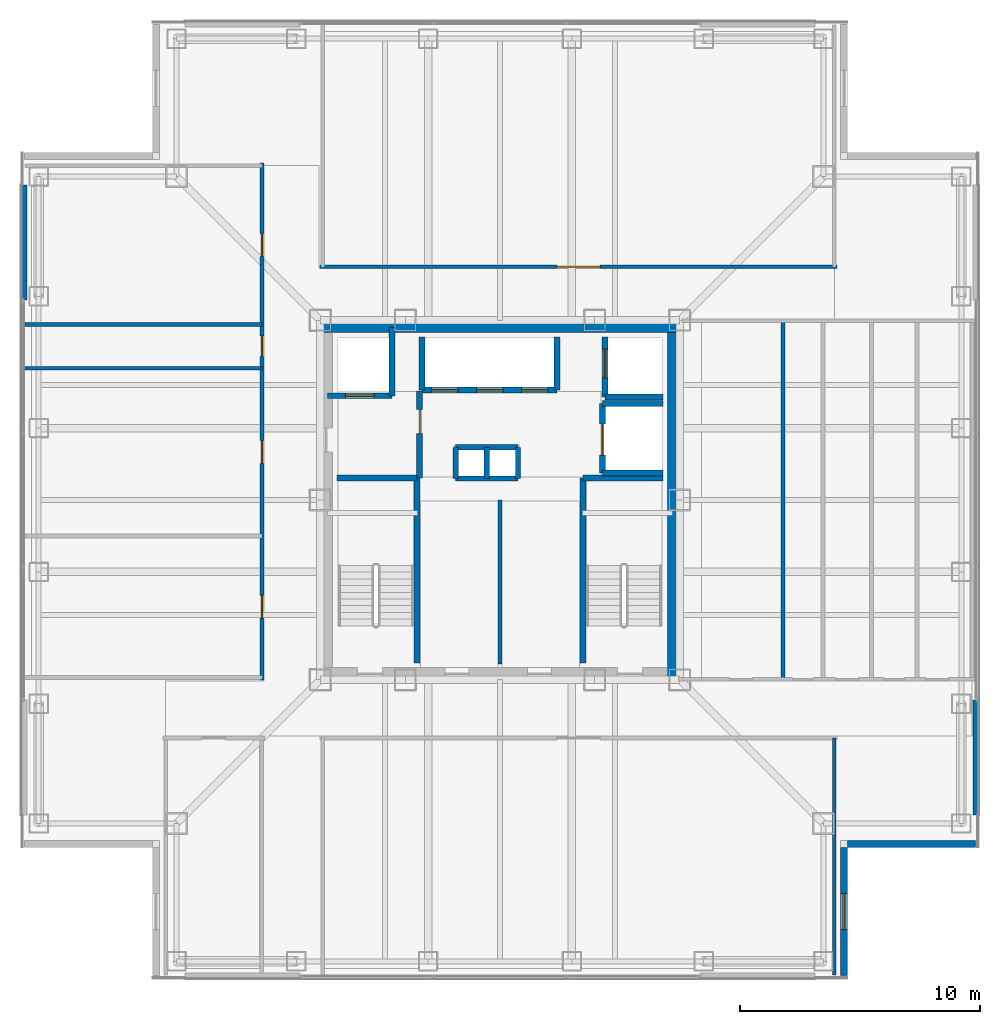
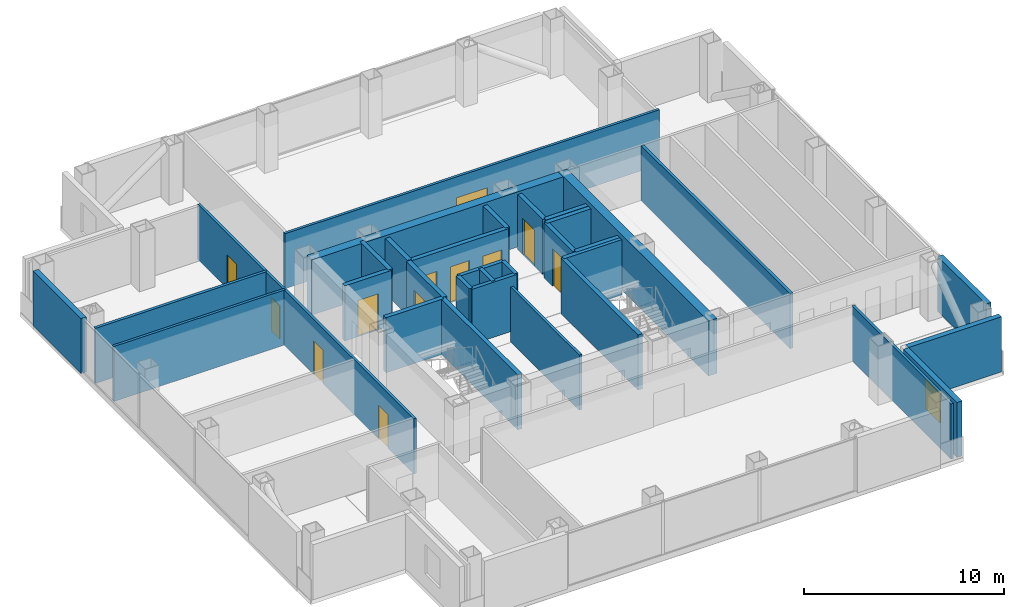
# One storey, part 9 of 16: 33 walls, 12 doors, 1 window, 13 openings.
"""IFC4 building model written with IfcOpenShell, lengths in metres."""

from ifc_helpers import new_model, si_unit, direction, frame, frame_2d, origin, place, context, subcontext, project, spatial, rectangle, extrude, material, layer, layer_set, type_object, element, fill, save


model = new_model("IFC4")

# Units and contexts
model_context = context("Model", 3, precision=1e-05, world=origin(), true_north=direction((0.0, 1.0)))
body_context = subcontext(model_context, "Body", "Model", "MODEL_VIEW")
ifc_project = project(units=[si_unit("LENGTHUNIT", "METRE"), si_unit("AREAUNIT", "SQUARE_METRE"), si_unit("VOLUMEUNIT", "CUBIC_METRE"), si_unit("PLANEANGLEUNIT", "RADIAN"), si_unit("MASSUNIT", "GRAM", prefix="KILO")], contexts=[model_context])

# Site, building, storey
site_placement = place(None, origin())
site = spatial("IfcSite", under=ifc_project, at=site_placement, CompositionType="ELEMENT")
building_placement = place(site_placement, origin())
building = spatial("IfcBuilding", under=site, at=building_placement, Name="Trevonay Congress Spire", CompositionType="ELEMENT")
storey_placement = place(building_placement, frame((0.0, 0.0, 202.199951171875)))
storey = spatial("IfcBuildingStorey", under=building, at=storey_placement, Name="L52", CompositionType="ELEMENT", Elevation=202.199951171875)

# Walls
ifc_material_1 = material(Name="Concrete C50/60", Category="concrete")
ifc_layer_1 = layer(ifc_material_1, 0.5, Name="Concrete C50/60")
ifc_layer_set_1 = layer_set([ifc_layer_1], Name="Concrete C50/60")
wall_type_1 = type_object("IfcWallType", Name="WAL-CORE-500", PredefinedType="SHEAR", material=ifc_layer_set_1)
for number, where, z_axis, x_axis, name in (
    (1, (-7.5, 7.25, 0.0), (0.0, 0.0, 1.0), (1.0, 0.0, 0.0), "L52 North structural core shear wall"),
    (2, (7.25, -7.5, 0.0), (0.0, 0.0, 1.0), (0.0, 1.0, 0.0), "L52 East structural core shear wall"),
):
    element("IfcWall", number, at=place(storey_placement, frame(where, z_axis=z_axis, x_axis=x_axis)), inside=storey, type_object=wall_type_1, Name=name, PredefinedType="SHEAR", context=body_context, shape_type="SweptSolid", body=[
        extrude(rectangle(XDim=15.0, YDim=0.5, at=frame_2d((7.5, 0.0))), origin(), (0.0, 0.0, 1.0), 3.360107421875),
    ])

# Wall, openings, doors
ifc_material_2 = material(Name="Concrete C40/50", Category="concrete")
ifc_layer_2 = layer(ifc_material_2, 0.14990234375, Name="Concrete C40/50")
ifc_layer_set_2 = layer_set([ifc_layer_2], Name="Concrete C40/50")
wall_type_2 = type_object("IfcWallType", Name="WAL-CORR-150", PredefinedType="PARTITIONING", material=ifc_layer_set_2)
wall_1_placement = place(storey_placement, frame((-9.929931640625, -7.52001953125, 0.0), z_axis=(0.0, 0.0, 1.0), x_axis=(0.0, 1.0, 0.0)))
wall_1 = element("IfcWall", 3, at=wall_1_placement, inside=storey, type_object=wall_type_2, Name="L52 interior wall WP-L52NW-COR", PredefinedType="PARTITIONING", context=body_context, shape_type="SweptSolid", body=[
    extrude(rectangle(XDim=21.590087890625, YDim=0.14990234375, at=frame_2d((10.794921875, 0.0))), origin(), (0.0, 0.0, 1.0), 3.360107421875),
])
opening_1_placement = place(wall_1_placement, frame((2.594970703125, 0.0, 0.0)))
opening_1 = element("IfcOpeningElement", 4, at=opening_1_placement, cuts=wall_1, Name="Opening D07", PredefinedType="OPENING", context=body_context, shape_type="SweptSolid", body=[
    extrude(rectangle(XDim=0.949951171875, YDim=2.06005859375, at=frame_2d((0.47509765625, 1.030029296875))), frame((0.0, 0.0849609375, 0.0), z_axis=(0.0, -1.0, 0.0), x_axis=(1.0, 0.0, 0.0)), (0.0, 0.0, 1.0), 0.169921875),
])
opening_2_placement = place(wall_1_placement, frame((9.044921875, 0.0, 0.0)))
opening_2 = element("IfcOpeningElement", 5, at=opening_2_placement, cuts=wall_1, Name="Opening D07", PredefinedType="OPENING", context=body_context, shape_type="SweptSolid", body=[
    extrude(rectangle(XDim=0.949951171875, YDim=2.06005859375, at=frame_2d((0.47509765625, 1.030029296875))), frame((0.0, 0.0849609375, 0.0), z_axis=(0.0, -1.0, 0.0), x_axis=(1.0, 0.0, 0.0)), (0.0, 0.0, 1.0), 0.169921875),
])
opening_3_placement = place(wall_1_placement, frame((13.510009765625, 0.0, 0.0)))
opening_3 = element("IfcOpeningElement", 6, at=opening_3_placement, cuts=wall_1, Name="Opening D10", PredefinedType="OPENING", context=body_context, shape_type="SweptSolid", body=[
    extrude(rectangle(XDim=0.85009765625, YDim=2.050048828125, at=frame_2d((0.425048828125, 1.02490234375))), frame((0.0, 0.0849609375, 0.0), z_axis=(0.0, -1.0, 0.0), x_axis=(1.0, 0.0, 0.0)), (0.0, 0.0, 1.0), 0.169921875),
])
opening_4_placement = place(wall_1_placement, frame((17.68505859375, 0.0, 0.0)))
opening_4 = element("IfcOpeningElement", 7, at=opening_4_placement, cuts=wall_1, Name="Opening D07", PredefinedType="OPENING", context=body_context, shape_type="SweptSolid", body=[
    extrude(rectangle(XDim=0.949951171875, YDim=2.06005859375, at=frame_2d((0.47509765625, 1.030029296875))), frame((0.0, 0.0849609375, 0.0), z_axis=(0.0, -1.0, 0.0), x_axis=(1.0, 0.0, 0.0)), (0.0, 0.0, 1.0), 0.169921875),
])
ifc_material_3 = material(Name="Pale Anodised Aluminium EN AW-6063-T6", Category="aluminium")
door_type_1 = type_object("IfcDoorType", Name="DOR-OFFICE-95", OperationType="NOTDEFINED", PredefinedType="DOOR", material=ifc_material_3)
door_1_placement = place(opening_1_placement, origin())
door_1 = element("IfcDoor", 8, at=door_1_placement, inside=storey, type_object=door_type_1, Name="L52 Hydrotherapy Lounge Door", OperationType="SINGLE_SWING_RIGHT", OverallHeight=2.06005859375, OverallWidth=0.949951171875, PredefinedType="DOOR", context=body_context, shape_type="SweptSolid", body=[
    extrude(rectangle(XDim=0.949951171875, YDim=2.06005859375, at=frame_2d((0.47509765625, 1.030029296875))), frame((0.0, 0.02490234375, 0.0), z_axis=(0.0, -1.0, 0.0), x_axis=(1.0, 0.0, 0.0)), (0.0, 0.0, 1.0), 0.050048828125),
])
fill(opening_1, door_1)
door_2_placement = place(opening_2_placement, origin())
door_2 = element("IfcDoor", 9, at=door_2_placement, inside=storey, type_object=door_type_1, Name="L52 Spa Treatment Lounge Door", OperationType="SINGLE_SWING_LEFT", OverallHeight=2.06005859375, OverallWidth=0.949951171875, PredefinedType="DOOR", context=body_context, shape_type="SweptSolid", body=[
    extrude(rectangle(XDim=0.949951171875, YDim=2.06005859375, at=frame_2d((0.47509765625, 1.030029296875))), frame((0.0, 0.02490234375, 0.0), z_axis=(0.0, -1.0, 0.0), x_axis=(1.0, 0.0, 0.0)), (0.0, 0.0, 1.0), 0.050048828125),
])
fill(opening_2, door_2)
door_3_placement = place(opening_4_placement, origin())
door_3 = element("IfcDoor", 10, at=door_3_placement, inside=storey, type_object=door_type_1, Name="L52 Floor Supplies and Copy Room Door", OperationType="SINGLE_SWING_LEFT", OverallHeight=2.06005859375, OverallWidth=0.949951171875, PredefinedType="DOOR", context=body_context, shape_type="SweptSolid", body=[
    extrude(rectangle(XDim=0.949951171875, YDim=2.06005859375, at=frame_2d((0.47509765625, 1.030029296875))), frame((0.0, 0.02490234375, 0.0), z_axis=(0.0, -1.0, 0.0), x_axis=(1.0, 0.0, 0.0)), (0.0, 0.0, 1.0), 0.050048828125),
])
fill(opening_4, door_3)
door_type_2 = type_object("IfcDoorType", Name="DOR-WC-85", OperationType="NOTDEFINED", PredefinedType="DOOR", material=ifc_material_3)
door_4_placement = place(opening_3_placement, origin())
door_4 = element("IfcDoor", 11, at=door_4_placement, inside=storey, type_object=door_type_2, Name="L52 Accessible WC Door", OperationType="SINGLE_SWING_RIGHT", OverallHeight=2.050048828125, OverallWidth=0.85009765625, PredefinedType="DOOR", context=body_context, shape_type="SweptSolid", body=[
    extrude(rectangle(XDim=0.85009765625, YDim=2.050048828125, at=frame_2d((0.425048828125, 1.02490234375))), frame((0.0, 0.02490234375, 0.0), z_axis=(0.0, -1.0, 0.0), x_axis=(1.0, 0.0, 0.0)), (0.0, 0.0, 1.0), 0.050048828125),
])
fill(opening_3, door_4)

# Wall, opening, door
wall_2_placement = place(storey_placement, frame((-7.52001953125, 9.72998046875, 0.0), z_axis=(0.0, 0.0, 1.0), x_axis=(1.0, 0.0, 0.0)))
wall_2 = element("IfcWall", 12, at=wall_2_placement, inside=storey, type_object=wall_type_2, Name="L52 interior wall WP-L52N-COR", PredefinedType="PARTITIONING", context=body_context, shape_type="SweptSolid", body=[
    extrude(rectangle(XDim=21.590087890625, YDim=0.14990234375, at=frame_2d((10.794921875, 0.0))), origin(), (0.0, 0.0, 1.0), 3.360107421875),
])
opening_5_placement = place(wall_2_placement, frame((9.89501953125, 0.0, 0.0)))
opening_5 = element("IfcOpeningElement", 13, at=opening_5_placement, cuts=wall_2, Name="Opening D09", PredefinedType="OPENING", context=body_context, shape_type="SweptSolid", body=[
    extrude(rectangle(XDim=1.800048828125, YDim=2.080078125, at=frame_2d((0.89990234375, 1.0400390625))), frame((0.0, 0.0849609375, 0.0), z_axis=(0.0, -1.0, 0.0), x_axis=(1.0, 0.0, 0.0)), (0.0, 0.0, 1.0), 0.169921875),
])
door_type_3 = type_object("IfcDoorType", Name="DOR-CONF-DBL", OperationType="DOUBLE_DOOR_SINGLE_SWING", PredefinedType="DOOR", material=ifc_material_3)
door_5_placement = place(opening_5_placement, origin())
door_5 = element("IfcDoor", 14, at=door_5_placement, inside=storey, type_object=door_type_3, Name="L52 Sky Pilates and Fitness Studio Lounge Door", OperationType="DOUBLE_DOOR_SINGLE_SWING", OverallHeight=2.080078125, OverallWidth=1.800048828125, PredefinedType="DOOR", context=body_context, shape_type="SweptSolid", body=[
    extrude(rectangle(XDim=1.800048828125, YDim=2.080078125, at=frame_2d((0.89990234375, 1.0400390625))), frame((0.0, 0.02490234375, 0.0), z_axis=(0.0, -1.0, 0.0), x_axis=(1.0, 0.0, 0.0)), (0.0, 0.0, 1.0), 0.050048828125),
])
fill(opening_5, door_5)

# Walls
ifc_material_4 = material(Name="Precast concrete C40/50", Category="concrete")
ifc_layer_3 = layer(ifc_material_4, 0.300048828125, Name="Precast concrete C40/50")
ifc_layer_set_3 = layer_set([ifc_layer_3], Name="Precast concrete C40/50")
wall_type_3 = type_object("IfcWallType", Name="WAL-EXT-PRECAST-300", PredefinedType="SOLIDWALL", material=ifc_layer_set_3)
for number, where, z_axis, x_axis, name in (
    (15, (-19.8798828125, 8.35009765625, 0.0), (0.0, 0.0, 1.0), (0.0, 1.0, 0.0), "L52 WR braced-bay exterior pier wall"),
    (16, (19.8798828125, -13.14990234375, 0.0), (0.0, 0.0, 1.0), (0.0, 1.0, 0.0), "L52 EL braced-bay exterior pier wall"),
):
    element("IfcWall", number, at=place(storey_placement, frame(where, z_axis=z_axis, x_axis=x_axis)), inside=storey, type_object=wall_type_3, Name=name, PredefinedType="SOLIDWALL", context=body_context, shape_type="SweptSolid", body=[
        extrude(rectangle(XDim=4.7998046875, YDim=0.300048828125, at=frame_2d((2.39990234375, 0.0))), origin(), (0.0, 0.0, 1.0), 3.360107421875),
    ])

# Wall, opening, window
wall_3_placement = place(storey_placement, frame((14.35009765625, -19.85009765625, 0.0), z_axis=(0.0, 0.0, 1.0), x_axis=(0.0, 1.0, 0.0)))
wall_3 = element("IfcWall", 17, at=wall_3_placement, inside=storey, type_object=wall_type_3, Name="L52 SE re-entrant notch exterior wall 1", PredefinedType="SOLIDWALL", context=body_context, shape_type="SweptSolid", body=[
    extrude(rectangle(XDim=5.35009765625, YDim=0.300048828125, at=frame_2d((2.675048828125, 0.0))), origin(), (0.0, 0.0, 1.0), 3.360107421875),
])
opening_6_placement = place(wall_3_placement, frame((1.925048828125, 0.0, 0.89990234375)))
opening_6 = element("IfcOpeningElement", 18, at=opening_6_placement, cuts=wall_3, Name="Opening WN03", PredefinedType="OPENING", context=body_context, shape_type="SweptSolid", body=[
    extrude(rectangle(XDim=1.5, YDim=1.800048828125, at=frame_2d((0.75, 0.89990234375))), frame((0.0, 0.16015625, 0.0), z_axis=(0.0, -1.0, 0.0), x_axis=(1.0, 0.0, 0.0)), (0.0, 0.0, 1.0), 0.320068359375),
])
ifc_material_5 = material(Name="Insulated Low-E Vision Glass IGU", Category="glass")
window_type = type_object("IfcWindowType", Name="WIN-NOTCH-150X180", PartitioningType="SINGLE_PANEL", PredefinedType="WINDOW", material=ifc_material_5)
window_placement = place(opening_6_placement, origin())
window = element("IfcWindow", 19, at=window_placement, inside=storey, type_object=window_type, Name="L52 SE corner notch window", OverallHeight=1.800048828125, OverallWidth=1.5, PartitioningType="SINGLE_PANEL", PredefinedType="WINDOW", context=body_context, shape_type="SweptSolid", body=[
    extrude(rectangle(XDim=1.5, YDim=1.800048828125, at=frame_2d((0.75, 0.89990234375))), frame((0.0, 0.030029296875, 0.0), z_axis=(0.0, -1.0, 0.0), x_axis=(1.0, 0.0, 0.0)), (0.0, 0.0, 1.0), 0.06005859375),
])
fill(opening_6, window)

# Walls
wall_4_placement = place(storey_placement, frame((19.85009765625, -14.35009765625, 0.0), z_axis=(0.0, 0.0, 1.0), x_axis=(-1.0, 0.0, 0.0)))
element("IfcWall", 20, at=wall_4_placement, inside=storey, type_object=wall_type_3, Name="L52 SE re-entrant notch exterior wall 2", PredefinedType="SOLIDWALL", context=body_context, shape_type="SweptSolid", body=[
    extrude(rectangle(XDim=5.35009765625, YDim=0.300048828125, at=frame_2d((2.675048828125, 0.0))), origin(), (0.0, 0.0, 1.0), 3.360107421875),
])
ifc_layer_4 = layer(ifc_material_2, 0.14990234375, Name="Concrete C40/50")
ifc_layer_set_4 = layer_set([ifc_layer_4], Name="Concrete C40/50")
wall_type_4 = type_object("IfcWallType", Name="WAL-PART-150", PredefinedType="PARTITIONING", material=ifc_layer_set_4)
wall_5_placement = place(storey_placement, frame((0.0, -6.85009765625, 0.0), z_axis=(0.0, 0.0, 1.0), x_axis=(0.0, 1.0, 0.0)))
element("IfcWall", 21, at=wall_5_placement, inside=storey, type_object=wall_type_4, Name="L52 interior wall CW-F0-L52", PredefinedType="PARTITIONING", context=body_context, shape_type="SweptSolid", body=[
    extrude(rectangle(XDim=6.85009765625, YDim=0.14990234375, at=frame_2d((3.425048828125, 0.0))), origin(), (0.0, 0.0, 1.0), 3.360107421875),
])
for number, where, z_axis, x_axis, name in (
    (22, (13.949951171875, -19.820068359375, 0.0), (0.0, 0.0, 1.0), (0.0, 1.0, 0.0), "L52 interior wall WP-L52SE-DIV2"),
    (23, (-19.820068359375, 5.5, 0.0), (0.0, 0.0, 1.0), (1.0, 0.0, 0.0), "L52 interior wall WP-L52NW-DIV3"),
):
    element("IfcWall", number, at=place(storey_placement, frame(where, z_axis=z_axis, x_axis=x_axis)), inside=storey, type_object=wall_type_4, Name=name, PredefinedType="PARTITIONING", context=body_context, shape_type="SweptSolid", body=[
        extrude(rectangle(XDim=9.89013671875, YDim=0.14990234375, at=frame_2d((4.945068359375, 0.0))), origin(), (0.0, 0.0, 1.0), 3.360107421875),
    ])
ifc_layer_5 = layer(ifc_material_2, 0.219970703125, Name="Concrete C40/50")
ifc_layer_set_5 = layer_set([ifc_layer_5], Name="Concrete C40/50")
wall_type_5 = type_object("IfcWallType", Name="WAL-SHAFT-220", PredefinedType="PARTITIONING", material=ifc_layer_set_5)
for number, where, z_axis, x_axis, name in (
    (24, (-1.85009765625, 2.199951171875, 0.0), (0.0, 0.0, 1.0), (1.0, 0.0, 0.0), "L52 interior shaft wall WSH-L52-RSR-N"),
    (25, (-1.85009765625, 0.89990234375, 0.0), (0.0, 0.0, 1.0), (1.0, 0.0, 0.0), "L52 interior shaft wall WSH-L52-RSR-S"),
):
    element("IfcWall", number, at=place(storey_placement, frame(where, z_axis=z_axis, x_axis=x_axis)), inside=storey, type_object=wall_type_5, Name=name, PredefinedType="PARTITIONING", context=body_context, shape_type="SweptSolid", body=[
        extrude(rectangle(XDim=2.60009765625, YDim=0.219970703125, at=frame_2d((1.300048828125, 0.0))), origin(), (0.0, 0.0, 1.0), 3.360107421875),
    ])
for number, where, z_axis, x_axis, name in (
    (26, (-0.550048828125, 0.89990234375, 0.0), (0.0, 0.0, 1.0), (0.0, 1.0, 0.0), "L52 interior shaft wall WSH-L52-RSR-M"),
    (27, (0.75, 0.89990234375, 0.0), (0.0, 0.0, 1.0), (0.0, 1.0, 0.0), "L52 interior shaft wall WSH-L52-RSR-E"),
    (28, (-1.85009765625, 0.89990234375, 0.0), (0.0, 0.0, 1.0), (0.0, 1.0, 0.0), "L52 interior shaft wall WSH-L52-RSR-W"),
):
    element("IfcWall", number, at=place(storey_placement, frame(where, z_axis=z_axis, x_axis=x_axis)), inside=storey, type_object=wall_type_5, Name=name, PredefinedType="PARTITIONING", context=body_context, shape_type="SweptSolid", body=[
        extrude(rectangle(XDim=1.300048828125, YDim=0.219970703125, at=frame_2d((0.64990234375, 0.0))), origin(), (0.0, 0.0, 1.0), 3.360107421875),
    ])

# Wall, openings, doors
ifc_layer_6 = layer(ifc_material_2, 0.25, Name="Concrete C40/50")
ifc_layer_set_6 = layer_set([ifc_layer_6], Name="Concrete C40/50")
wall_type_6 = type_object("IfcWallType", Name="WAL-SHAFT-250", PredefinedType="SHEAR", material=ifc_layer_set_6)
wall_6_placement = place(storey_placement, frame((-3.260009765625, 4.580078125, 0.0), z_axis=(0.0, 0.0, 1.0), x_axis=(1.0, 0.0, 0.0)))
wall_6 = element("IfcWall", 29, at=wall_6_placement, inside=storey, type_object=wall_type_6, Name="L52 interior shaft wall WSH-L52-B3-S", PredefinedType="SHEAR", context=body_context, shape_type="SweptSolid", body=[
    extrude(rectangle(XDim=5.639892578125, YDim=0.25, at=frame_2d((2.81982421875, 0.0))), origin(), (0.0, 0.0, 1.0), 3.360107421875),
])
opening_7_placement = place(wall_6_placement, frame((0.39990234375, 0.0, 0.0)))
opening_7 = element("IfcOpeningElement", 30, at=opening_7_placement, cuts=wall_6, Name="Opening LD03", PredefinedType="OPENING", context=body_context, shape_type="SweptSolid", body=[
    extrude(rectangle(XDim=1.10009765625, YDim=2.199951171875, at=frame_2d((0.550048828125, 1.10009765625))), frame((0.0, 0.135009765625, 0.0), z_axis=(0.0, -1.0, 0.0), x_axis=(1.0, 0.0, 0.0)), (0.0, 0.0, 1.0), 0.27001953125),
])
opening_8_placement = place(wall_6_placement, frame((2.280029296875, 0.0, 0.0)))
opening_8 = element("IfcOpeningElement", 31, at=opening_8_placement, cuts=wall_6, Name="Opening LD03", PredefinedType="OPENING", context=body_context, shape_type="SweptSolid", body=[
    extrude(rectangle(XDim=1.10009765625, YDim=2.199951171875, at=frame_2d((0.550048828125, 1.10009765625))), frame((0.0, 0.135009765625, 0.0), z_axis=(0.0, -1.0, 0.0), x_axis=(1.0, 0.0, 0.0)), (0.0, 0.0, 1.0), 0.27001953125),
])
opening_9_placement = place(wall_6_placement, frame((4.159912109375, 0.0, 0.0)))
opening_9 = element("IfcOpeningElement", 32, at=opening_9_placement, cuts=wall_6, Name="Opening LD03", PredefinedType="OPENING", context=body_context, shape_type="SweptSolid", body=[
    extrude(rectangle(XDim=1.10009765625, YDim=2.199951171875, at=frame_2d((0.550048828125, 1.10009765625))), frame((0.0, 0.135009765625, 0.0), z_axis=(0.0, -1.0, 0.0), x_axis=(1.0, 0.0, 0.0)), (0.0, 0.0, 1.0), 0.27001953125),
])
door_type_4 = type_object("IfcDoorType", Name="DOR-LIFT-LD03", OperationType="DOUBLE_DOOR_SLIDING", PredefinedType="DOOR", material=ifc_material_3)
door_6_placement = place(opening_7_placement, origin())
door_6 = element("IfcDoor", 33, at=door_6_placement, inside=storey, type_object=door_type_4, Name="L52 Passenger lift PL-07 landing door", OperationType="DOUBLE_DOOR_SLIDING", OverallHeight=2.199951171875, OverallWidth=1.10009765625, PredefinedType="DOOR", context=body_context, shape_type="SweptSolid", body=[
    extrude(rectangle(XDim=1.10009765625, YDim=2.199951171875, at=frame_2d((0.550048828125, 1.10009765625))), frame((0.0, 0.02490234375, 0.0), z_axis=(0.0, -1.0, 0.0), x_axis=(1.0, 0.0, 0.0)), (0.0, 0.0, 1.0), 0.050048828125),
])
fill(opening_7, door_6)
door_7_placement = place(opening_8_placement, origin())
door_7 = element("IfcDoor", 34, at=door_7_placement, inside=storey, type_object=door_type_4, Name="L52 Passenger lift PL-08 landing door", OperationType="DOUBLE_DOOR_SLIDING", OverallHeight=2.199951171875, OverallWidth=1.10009765625, PredefinedType="DOOR", context=body_context, shape_type="SweptSolid", body=[
    extrude(rectangle(XDim=1.10009765625, YDim=2.199951171875, at=frame_2d((0.550048828125, 1.10009765625))), frame((0.0, 0.02490234375, 0.0), z_axis=(0.0, -1.0, 0.0), x_axis=(1.0, 0.0, 0.0)), (0.0, 0.0, 1.0), 0.050048828125),
])
fill(opening_8, door_7)
door_8_placement = place(opening_9_placement, origin())
door_8 = element("IfcDoor", 35, at=door_8_placement, inside=storey, type_object=door_type_4, Name="L52 Passenger lift PL-09 landing door", OperationType="DOUBLE_DOOR_SLIDING", OverallHeight=2.199951171875, OverallWidth=1.10009765625, PredefinedType="DOOR", context=body_context, shape_type="SweptSolid", body=[
    extrude(rectangle(XDim=1.10009765625, YDim=2.199951171875, at=frame_2d((0.550048828125, 1.10009765625))), frame((0.0, 0.02490234375, 0.0), z_axis=(0.0, -1.0, 0.0), x_axis=(1.0, 0.0, 0.0)), (0.0, 0.0, 1.0), 0.050048828125),
])
fill(opening_9, door_8)

# Walls
for number, where, z_axis, x_axis, name in (
    (36, (-3.260009765625, 4.580078125, 0.0), (0.0, 0.0, 1.0), (0.0, 1.0, 0.0), "L52 interior shaft wall WSH-L52-B3-W"),
    (37, (2.3798828125, 4.580078125, 0.0), (0.0, 0.0, 1.0), (0.0, 1.0, 0.0), "L52 interior shaft wall WSH-L52-B3-E"),
):
    element("IfcWall", number, at=place(storey_placement, frame(where, z_axis=z_axis, x_axis=x_axis)), inside=storey, type_object=wall_type_6, Name=name, PredefinedType="SHEAR", context=body_context, shape_type="SweptSolid", body=[
        extrude(rectangle(XDim=2.219970703125, YDim=0.25, at=frame_2d((1.10986328125, 0.0))), origin(), (0.0, 0.0, 1.0), 3.360107421875),
    ])

# Wall, opening, door
wall_7_placement = place(storey_placement, frame((-7.199951171875, 4.35009765625, 0.0), z_axis=(0.0, 0.0, 1.0), x_axis=(1.0, 0.0, 0.0)))
wall_7 = element("IfcWall", 38, at=wall_7_placement, inside=storey, type_object=wall_type_6, Name="L52 interior shaft wall WSH-L52-FF1-S", PredefinedType="SHEAR", context=body_context, shape_type="SweptSolid", body=[
    extrude(rectangle(XDim=2.699951171875, YDim=0.25, at=frame_2d((1.35009765625, 0.0))), origin(), (0.0, 0.0, 1.0), 3.360107421875),
])
opening_10_placement = place(wall_7_placement, frame((0.75, 0.0, 0.0)))
opening_10 = element("IfcOpeningElement", 39, at=opening_10_placement, cuts=wall_7, Name="Opening LD04", PredefinedType="OPENING", context=body_context, shape_type="SweptSolid", body=[
    extrude(rectangle(XDim=1.199951171875, YDim=2.199951171875, at=frame_2d((0.60009765625, 1.10009765625))), frame((0.0, 0.135009765625, 0.0), z_axis=(0.0, -1.0, 0.0), x_axis=(1.0, 0.0, 0.0)), (0.0, 0.0, 1.0), 0.27001953125),
])
ifc_material_6 = material(Name="Steel ASTM A572 Grade 50", Category="steel")
door_type_5 = type_object("IfcDoorType", Name="DOR-LIFT-LD04", OperationType="DOUBLE_DOOR_SLIDING", PredefinedType="DOOR", material=ifc_material_6)
door_9_placement = place(opening_10_placement, origin())
door_9 = element("IfcDoor", 40, at=door_9_placement, inside=storey, type_object=door_type_5, Name="L52 Firefighting lift FFL-01 landing door", OperationType="DOUBLE_DOOR_SLIDING", OverallHeight=2.199951171875, OverallWidth=1.199951171875, PredefinedType="DOOR", context=body_context, shape_type="SweptSolid", body=[
    extrude(rectangle(XDim=1.199951171875, YDim=2.199951171875, at=frame_2d((0.60009765625, 1.10009765625))), frame((0.0, 0.02490234375, 0.0), z_axis=(0.0, -1.0, 0.0), x_axis=(1.0, 0.0, 0.0)), (0.0, 0.0, 1.0), 0.050048828125),
])
fill(opening_10, door_9)

# Walls
wall_8_placement = place(storey_placement, frame((-4.5, 4.35009765625, 0.0), z_axis=(0.0, 0.0, 1.0), x_axis=(0.0, 1.0, 0.0)))
element("IfcWall", 41, at=wall_8_placement, inside=storey, type_object=wall_type_6, Name="L52 interior shaft wall WSH-L52-FF1-E", PredefinedType="SHEAR", context=body_context, shape_type="SweptSolid", body=[
    extrude(rectangle(XDim=2.849853515625, YDim=0.25, at=frame_2d((1.4248046875, 0.0))), origin(), (0.0, 0.0, 1.0), 3.360107421875),
])
wall_9_placement = place(storey_placement, frame((4.3798828125, 4.300048828125, 0.0), z_axis=(0.0, 0.0, 1.0), x_axis=(1.0, 0.0, 0.0)))
element("IfcWall", 42, at=wall_9_placement, inside=storey, type_object=wall_type_6, Name="L52 interior shaft wall WSH-L52-FF2-S", PredefinedType="SHEAR", context=body_context, shape_type="SweptSolid", body=[
    extrude(rectangle(XDim=2.420166015625, YDim=0.25, at=frame_2d((1.2099609375, 0.0))), origin(), (0.0, 0.0, 1.0), 3.360107421875),
])

# Wall, opening, door
wall_10_placement = place(storey_placement, frame((4.3798828125, 4.300048828125, 0.0), z_axis=(0.0, 0.0, 1.0), x_axis=(0.0, 1.0, 0.0)))
wall_10 = element("IfcWall", 43, at=wall_10_placement, inside=storey, type_object=wall_type_6, Name="L52 interior shaft wall WSH-L52-FF2-W", PredefinedType="SHEAR", context=body_context, shape_type="SweptSolid", body=[
    extrude(rectangle(XDim=2.5, YDim=0.25, at=frame_2d((1.25, 0.0))), origin(), (0.0, 0.0, 1.0), 3.360107421875),
])
opening_11_placement = place(wall_10_placement, frame((0.800048828125, 0.0, 0.0)))
opening_11 = element("IfcOpeningElement", 44, at=opening_11_placement, cuts=wall_10, Name="Opening LD04", PredefinedType="OPENING", context=body_context, shape_type="SweptSolid", body=[
    extrude(rectangle(XDim=1.199951171875, YDim=2.199951171875, at=frame_2d((0.60009765625, 1.10009765625))), frame((0.0, 0.135009765625, 0.0), z_axis=(0.0, -1.0, 0.0), x_axis=(1.0, 0.0, 0.0)), (0.0, 0.0, 1.0), 0.27001953125),
])
door_10_placement = place(opening_11_placement, origin())
door_10 = element("IfcDoor", 45, at=door_10_placement, inside=storey, type_object=door_type_5, Name="L52 Firefighting lift FFL-02 landing door", OperationType="DOUBLE_DOOR_SLIDING", OverallHeight=2.199951171875, OverallWidth=1.199951171875, PredefinedType="DOOR", context=body_context, shape_type="SweptSolid", body=[
    extrude(rectangle(XDim=1.199951171875, YDim=2.199951171875, at=frame_2d((0.60009765625, 1.10009765625))), frame((0.0, 0.02490234375, 0.0), z_axis=(0.0, -1.0, 0.0), x_axis=(1.0, 0.0, 0.0)), (0.0, 0.0, 1.0), 0.050048828125),
])
fill(opening_11, door_10)

wall_11_placement = place(storey_placement, frame((4.280029296875, 1.1201171875, 0.0), z_axis=(0.0, 0.0, 1.0), x_axis=(0.0, 1.0, 0.0)))
wall_11 = element("IfcWall", 46, at=wall_11_placement, inside=storey, type_object=wall_type_6, Name="L52 interior shaft wall WSH-L52-SV-W", PredefinedType="SHEAR", context=body_context, shape_type="SweptSolid", body=[
    extrude(rectangle(XDim=2.89990234375, YDim=0.25, at=frame_2d((1.449951171875, 0.0))), origin(), (0.0, 0.0, 1.0), 3.360107421875),
])
opening_12_placement = place(wall_11_placement, frame((0.75, 0.0, 0.0)))
opening_12 = element("IfcOpeningElement", 47, at=opening_12_placement, cuts=wall_11, Name="Opening LD05", PredefinedType="OPENING", context=body_context, shape_type="SweptSolid", body=[
    extrude(rectangle(XDim=1.300048828125, YDim=2.300048828125, at=frame_2d((0.64990234375, 1.14990234375))), frame((0.0, 0.135009765625, 0.0), z_axis=(0.0, -1.0, 0.0), x_axis=(1.0, 0.0, 0.0)), (0.0, 0.0, 1.0), 0.27001953125),
])
door_type_6 = type_object("IfcDoorType", Name="DOR-LIFT-LD05", OperationType="DOUBLE_DOOR_SLIDING", PredefinedType="DOOR", material=ifc_material_6)
door_11_placement = place(opening_12_placement, origin())
door_11 = element("IfcDoor", 48, at=door_11_placement, inside=storey, type_object=door_type_6, Name="L52 Goods lift SVL-01 landing door", OperationType="DOUBLE_DOOR_SLIDING", OverallHeight=2.300048828125, OverallWidth=1.300048828125, PredefinedType="DOOR", context=body_context, shape_type="SweptSolid", body=[
    extrude(rectangle(XDim=1.300048828125, YDim=2.300048828125, at=frame_2d((0.64990234375, 1.14990234375))), frame((0.0, 0.02490234375, 0.0), z_axis=(0.0, -1.0, 0.0), x_axis=(1.0, 0.0, 0.0)), (0.0, 0.0, 1.0), 0.050048828125),
])
fill(opening_12, door_11)

# Walls
for number, where, z_axis, x_axis, name in (
    (49, (4.280029296875, 1.1201171875, 0.0), (0.0, 0.0, 1.0), (1.0, 0.0, 0.0), "L52 interior shaft wall WSH-L52-SV-S"),
    (50, (4.280029296875, 4.02001953125, 0.0), (0.0, 0.0, 1.0), (1.0, 0.0, 0.0), "L52 interior shaft wall WSH-L52-SV-N"),
):
    element("IfcWall", number, at=place(storey_placement, frame(where, z_axis=z_axis, x_axis=x_axis)), inside=storey, type_object=wall_type_6, Name=name, PredefinedType="SHEAR", context=body_context, shape_type="SweptSolid", body=[
        extrude(rectangle(XDim=2.52001953125, YDim=0.25, at=frame_2d((1.260009765625, 0.0))), origin(), (0.0, 0.0, 1.0), 3.360107421875),
    ])

# Wall, opening, door
wall_12_placement = place(storey_placement, frame((-3.35009765625, 0.919921875, 0.0), z_axis=(0.0, 0.0, 1.0), x_axis=(0.0, 1.0, 0.0)))
wall_12 = element("IfcWall", 51, at=wall_12_placement, inside=storey, type_object=wall_type_6, Name="L52 interior wall CW-FFLW-E-L52", PredefinedType="SHEAR", context=body_context, shape_type="SweptSolid", body=[
    extrude(rectangle(XDim=3.6201171875, YDim=0.25, at=frame_2d((1.81005859375, 0.0))), origin(), (0.0, 0.0, 1.0), 3.360107421875),
])
opening_13_placement = place(wall_12_placement, frame((1.85009765625, 0.0, 0.0)))
opening_13 = element("IfcOpeningElement", 52, at=opening_13_placement, cuts=wall_12, Name="Opening D06", PredefinedType="OPENING", context=body_context, shape_type="SweptSolid", body=[
    extrude(rectangle(XDim=1.0, YDim=2.080078125, at=frame_2d((0.5, 1.0400390625))), frame((0.0, 0.135009765625, 0.0), z_axis=(0.0, -1.0, 0.0), x_axis=(1.0, 0.0, 0.0)), (0.0, 0.0, 1.0), 0.27001953125),
])
door_type_7 = type_object("IfcDoorType", Name="DOR-FIRE-100", OperationType="NOTDEFINED", PredefinedType="DOOR", material=ifc_material_6)
door_12_placement = place(opening_13_placement, origin())
door_12 = element("IfcDoor", 53, at=door_12_placement, inside=storey, type_object=door_type_7, Name="L52 Firefighting Core Lobby Transfer Door", OperationType="SINGLE_SWING_RIGHT", OverallHeight=2.080078125, OverallWidth=1.0, PredefinedType="DOOR", context=body_context, shape_type="SweptSolid", body=[
    extrude(rectangle(XDim=1.0, YDim=2.080078125, at=frame_2d((0.5, 1.0400390625))), frame((0.0, 0.02490234375, 0.0), z_axis=(0.0, -1.0, 0.0), x_axis=(1.0, 0.0, 0.0)), (0.0, 0.0, 1.0), 0.050048828125),
])
fill(opening_13, door_12)

# Walls
ifc_layer_7 = layer(ifc_material_2, 0.25, Name="Concrete C40/50")
ifc_layer_set_7 = layer_set([ifc_layer_7], Name="Concrete C40/50")
wall_type_7 = type_object("IfcWallType", Name="WAL-SHAFT-LB-250", PredefinedType="SHEAR", material=ifc_layer_set_7)
wall_13_placement = place(storey_placement, frame((-3.469970703125, -6.800048828125, 0.0), z_axis=(0.0, 0.0, 1.0), x_axis=(0.0, 1.0, 0.0)))
element("IfcWall", 54, at=wall_13_placement, inside=storey, type_object=wall_type_7, Name="L52 interior shaft wall WSH-L52-ST1-E", PredefinedType="SHEAR", context=body_context, shape_type="SweptSolid", body=[
    extrude(rectangle(XDim=7.719970703125, YDim=0.25, at=frame_2d((3.85986328125, 0.0))), origin(), (0.0, 0.0, 1.0), 3.360107421875),
])
wall_14_placement = place(storey_placement, frame((-6.800048828125, 0.919921875, 0.0), z_axis=(0.0, 0.0, 1.0), x_axis=(1.0, 0.0, 0.0)))
element("IfcWall", 55, at=wall_14_placement, inside=storey, type_object=wall_type_7, Name="L52 interior shaft wall WSH-L52-ST1-N", PredefinedType="SHEAR", context=body_context, shape_type="SweptSolid", body=[
    extrude(rectangle(XDim=3.330078125, YDim=0.25, at=frame_2d((1.6650390625, 0.0))), origin(), (0.0, 0.0, 1.0), 3.360107421875),
])
wall_15_placement = place(storey_placement, frame((3.469970703125, -6.800048828125, 0.0), z_axis=(0.0, 0.0, 1.0), x_axis=(0.0, 1.0, 0.0)))
element("IfcWall", 56, at=wall_15_placement, inside=storey, type_object=wall_type_7, Name="L52 interior shaft wall WSH-L52-ST2-W", PredefinedType="SHEAR", context=body_context, shape_type="SweptSolid", body=[
    extrude(rectangle(XDim=7.719970703125, YDim=0.25, at=frame_2d((3.85986328125, 0.0))), origin(), (0.0, 0.0, 1.0), 3.360107421875),
])
wall_16_placement = place(storey_placement, frame((3.469970703125, 0.919921875, 0.0), z_axis=(0.0, 0.0, 1.0), x_axis=(1.0, 0.0, 0.0)))
element("IfcWall", 57, at=wall_16_placement, inside=storey, type_object=wall_type_7, Name="L52 interior shaft wall WSH-L52-ST2-N", PredefinedType="SHEAR", context=body_context, shape_type="SweptSolid", body=[
    extrude(rectangle(XDim=3.330078125, YDim=0.25, at=frame_2d((1.6650390625, 0.0))), origin(), (0.0, 0.0, 1.0), 3.360107421875),
])
ifc_layer_8 = layer(ifc_material_2, 0.1650390625, Name="Concrete C40/50")
ifc_layer_set_8 = layer_set([ifc_layer_8], Name="Concrete C40/50")
wall_type_8 = type_object("IfcWallType", Name="WAL-WET-165", PredefinedType="PLUMBINGWALL", material=ifc_layer_set_8)
wall_17_placement = place(storey_placement, frame((-19.820068359375, 7.330078125, 0.0), z_axis=(0.0, 0.0, 1.0), x_axis=(1.0, 0.0, 0.0)))
element("IfcWall", 58, at=wall_17_placement, inside=storey, type_object=wall_type_8, Name="L52 interior wall WP-L52NW-WCS3", PredefinedType="PLUMBINGWALL", context=body_context, shape_type="SweptSolid", body=[
    extrude(rectangle(XDim=9.89013671875, YDim=0.1650390625, at=frame_2d((4.945068359375, 0.0))), origin(), (0.0, 0.0, 1.0), 3.360107421875),
])
wall_18_placement = place(storey_placement, frame((11.800048828125, -7.47998046875, 0.0), z_axis=(0.0, 0.0, 1.0), x_axis=(0.0, 1.0, 0.0)))
element("IfcWall", 59, at=wall_18_placement, inside=storey, type_object=wall_type_8, Name="L52 interior wall WP-L52E-DIV1", PredefinedType="PLUMBINGWALL", context=body_context, shape_type="SweptSolid", body=[
    extrude(rectangle(XDim=14.89990234375, YDim=0.1650390625, at=frame_2d((7.449951171875, 0.0))), origin(), (0.0, 0.0, 1.0), 3.360107421875),
])

save(model, "model.ifc")
